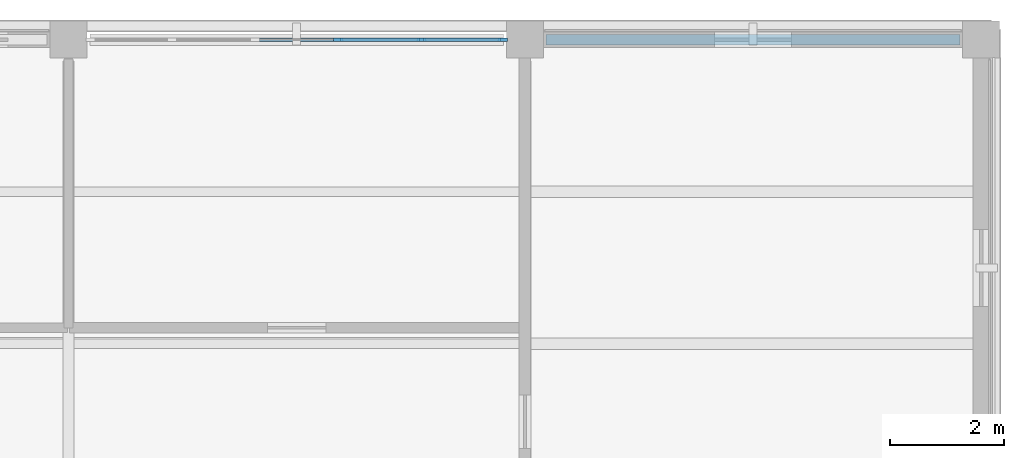
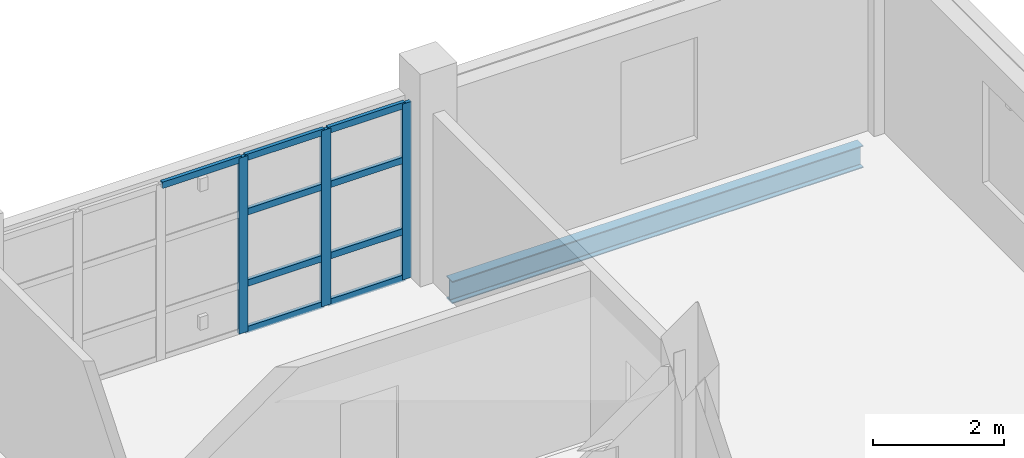
# One storey, part 64 of 126: 12 members, 1 beam, 1 element without a shape of its own.
"""IFC4 building model written with IfcOpenShell, lengths in metres."""

from ifc_helpers import new_model, si_unit, derived_unit, direction, frame, origin, origin_2d, place, context, subcontext, project, spatial, rectangle, i_section, extrude, material, layer, layer_set, material_profile, profile_set, type_object, element, aggregate, save


model = new_model("IFC4")

# Units and contexts
model_context = context("Model", 3, precision=1e-05, world=origin(), true_north=direction((0.0, 1.0)))
body_context = subcontext(model_context, "Body", "Model", "MODEL_VIEW")
ifc_project = project(units=[si_unit("LENGTHUNIT", "METRE"), si_unit("AREAUNIT", "SQUARE_METRE"), si_unit("VOLUMEUNIT", "CUBIC_METRE"), si_unit("PLANEANGLEUNIT", "RADIAN"), si_unit("MASSUNIT", "GRAM", prefix="KILO"), derived_unit("THERMALTRANSMITTANCEUNIT", [(si_unit("MASSUNIT", "GRAM", prefix="KILO"), 1), (si_unit("TIMEUNIT", "SECOND"), -3), (si_unit("THERMODYNAMICTEMPERATUREUNIT", "KELVIN"), -1)])], contexts=[model_context])

# Site, building, storey
site_placement = place(None, origin())
site = spatial("IfcSite", under=ifc_project, at=site_placement, CompositionType="ELEMENT")
building_placement = place(site_placement, origin())
building = spatial("IfcBuilding", under=site, at=building_placement, Name="Veyamyaing Civic Hall", CompositionType="ELEMENT")
storey_placement = place(building_placement, frame((0.0, 0.0, 9.89990234375)))
storey = spatial("IfcBuildingStorey", under=building, at=storey_placement, Name="L02", CompositionType="ELEMENT", Elevation=9.89990234375)

# Beam
ifc_material_1 = material(Name="Steel ASTM A992", Category="steel")
ifc_material_profile_1 = material_profile(ifc_material_1, i_section(OverallWidth=0.180908203125, OverallDepth=0.4169921875, WebThickness=0.010986328125, FlangeThickness=0.018310546875, FilletRadius=0.010009765625, at=origin_2d()), Name="W410X85")
ifc_profile_set_1 = profile_set([ifc_material_profile_1], Name="Steel ASTM A992")
beam_type = type_object("IfcBeamType", Name="B-19", PredefinedType="SPANDREL", material=ifc_profile_set_1)
beam_placement = place(storey_placement, frame((168.375, 112.0, -0.493408203125), z_axis=(1.0, 0.0, 0.0), x_axis=(0.0, 1.0, 0.0)))
element("IfcBeam", 1, at=beam_placement, inside=storey, type_object=beam_type, Name="Girder B-19 L02 Grid Q 22-23", PredefinedType="SPANDREL", context=body_context, shape_type="SweptSolid", body=[
    extrude(i_section(OverallWidth=0.180908203125, OverallDepth=0.4169921875, WebThickness=0.010986328125, FlangeThickness=0.018310546875, FilletRadius=0.010009765625, at=origin_2d()), origin(), (0.0, 0.0, 1.0), 7.25),
])

# Curtain wall, members
ifc_material_2 = material(Name="Anodised aluminium 6063-T6", Category="aluminium")
ifc_layer = layer(ifc_material_2, 0.159912109375, Name="Anodised aluminium 6063-T6")
ifc_layer_set = layer_set([ifc_layer], Name="Anodised aluminium 6063-T6")
curtain_wall_type = type_object("IfcCurtainWallType", Name="CW-03", PredefinedType="NOTDEFINED", material=ifc_layer_set)
curtain_wall_placement = place(storey_placement, origin())
curtain_wall = element("IfcCurtainWall", 2, at=curtain_wall_placement, inside=storey, type_object=curtain_wall_type, Name="Unitized curtain wall CW-03 L02 N 21.14", PredefinedType="NOTDEFINED")
ifc_material_profile_2 = material_profile(ifc_material_2, rectangle(XDim=0.06494140625, YDim=0.159912109375, at=origin_2d()), Name="ALU-MUL-65X160")
ifc_profile_set_2 = profile_set([ifc_material_profile_2], Name="Anodised aluminium 6063-T6")
member_type_1 = type_object("IfcMemberType", Name="CWM-01", PredefinedType="MULLION", material=ifc_profile_set_2)
member_1_placement = place(storey_placement, frame((164.72900390625, 112.0, 0.0), z_axis=(0.0, 0.0, 1.0), x_axis=(0.0, 1.0, 0.0)))
member_1 = element("IfcMember", 3, at=member_1_placement, type_object=member_type_1, Name="CW-03 mullion 4", PredefinedType="MULLION", context=body_context, shape_type="SweptSolid", body=[
    extrude(rectangle(XDim=0.06494140625, YDim=0.159912109375, at=origin_2d()), origin(), (0.0, 0.0, 1.0), 3.280029296875),
])
member_2_placement = place(storey_placement, frame((166.18701171875, 112.0, 0.0), z_axis=(0.0, 0.0, 1.0), x_axis=(0.0, 1.0, 0.0)))
member_2 = element("IfcMember", 4, at=member_2_placement, type_object=member_type_1, Name="CW-03 mullion 5", PredefinedType="MULLION", context=body_context, shape_type="SweptSolid", body=[
    extrude(rectangle(XDim=0.06494140625, YDim=0.159912109375, at=origin_2d()), origin(), (0.0, 0.0, 1.0), 3.280029296875),
])
member_3_placement = place(storey_placement, frame((167.612548828125, 112.0, 0.0), z_axis=(0.0, 0.0, 1.0), x_axis=(0.0, 1.0, 0.0)))
member_3 = element("IfcMember", 5, at=member_3_placement, type_object=member_type_1, Name="CW-03 mullion 6", PredefinedType="MULLION", context=body_context, shape_type="SweptSolid", body=[
    extrude(rectangle(XDim=0.06494140625, YDim=0.159912109375, at=origin_2d()), origin(), (0.0, 0.0, 1.0), 3.280029296875),
])
ifc_material_profile_3 = material_profile(ifc_material_2, rectangle(XDim=0.06494140625, YDim=0.1201171875, at=origin_2d()), Name="ALU-TRN-65X120")
ifc_profile_set_3 = profile_set([ifc_material_profile_3], Name="Anodised aluminium 6063-T6")
member_type_2 = type_object("IfcMemberType", Name="CWT-01", PredefinedType="USERDEFINED", material=ifc_profile_set_3)
member_4_placement = place(storey_placement, frame((163.303466796875, 112.0, 3.24755859375), z_axis=(1.0, 0.0, 0.0), x_axis=(0.0, 1.0, 0.0)))
member_4 = element("IfcMember", 6, at=member_4_placement, type_object=member_type_2, Name="CW-03 transom 3.4", ObjectType="TRANSOM", PredefinedType="USERDEFINED", context=body_context, shape_type="SweptSolid", body=[
    extrude(rectangle(XDim=0.06494140625, YDim=0.1201171875, at=origin_2d()), origin(), (0.0, 0.0, 1.0), 1.39306640625),
])
member_5_placement = place(storey_placement, frame((164.761474609375, 112.0, 0.03271484375), z_axis=(1.0, 0.0, 0.0), x_axis=(0.0, 1.0, 0.0)))
member_5 = element("IfcMember", 7, at=member_5_placement, type_object=member_type_2, Name="CW-03 transom 4.1", ObjectType="TRANSOM", PredefinedType="USERDEFINED", context=body_context, shape_type="SweptSolid", body=[
    extrude(rectangle(XDim=0.06494140625, YDim=0.1201171875, at=origin_2d()), origin(), (0.0, 0.0, 1.0), 1.39306640625),
])
member_6_placement = place(storey_placement, frame((164.761474609375, 112.0, 0.900146484375), z_axis=(1.0, 0.0, 0.0), x_axis=(0.0, 1.0, 0.0)))
member_6 = element("IfcMember", 8, at=member_6_placement, type_object=member_type_2, Name="CW-03 transom 4.2", ObjectType="TRANSOM", PredefinedType="USERDEFINED", context=body_context, shape_type="SweptSolid", body=[
    extrude(rectangle(XDim=0.06494140625, YDim=0.1201171875, at=origin_2d()), origin(), (0.0, 0.0, 1.0), 1.39306640625),
])
member_7_placement = place(storey_placement, frame((164.761474609375, 112.0, 2.23046875), z_axis=(1.0, 0.0, 0.0), x_axis=(0.0, 1.0, 0.0)))
member_7 = element("IfcMember", 9, at=member_7_placement, type_object=member_type_2, Name="CW-03 transom 4.3", ObjectType="TRANSOM", PredefinedType="USERDEFINED", context=body_context, shape_type="SweptSolid", body=[
    extrude(rectangle(XDim=0.06494140625, YDim=0.1201171875, at=origin_2d()), origin(), (0.0, 0.0, 1.0), 1.39306640625),
])
member_8_placement = place(storey_placement, frame((164.761474609375, 112.0, 3.24755859375), z_axis=(1.0, 0.0, 0.0), x_axis=(0.0, 1.0, 0.0)))
member_8 = element("IfcMember", 10, at=member_8_placement, type_object=member_type_2, Name="CW-03 transom 4.4", ObjectType="TRANSOM", PredefinedType="USERDEFINED", context=body_context, shape_type="SweptSolid", body=[
    extrude(rectangle(XDim=0.06494140625, YDim=0.1201171875, at=origin_2d()), origin(), (0.0, 0.0, 1.0), 1.39306640625),
])
member_9_placement = place(storey_placement, frame((166.219482421875, 112.0, 0.03271484375), z_axis=(1.0, 0.0, 0.0), x_axis=(0.0, 1.0, 0.0)))
member_9 = element("IfcMember", 11, at=member_9_placement, type_object=member_type_2, Name="CW-03 transom 5.1", ObjectType="TRANSOM", PredefinedType="USERDEFINED", context=body_context, shape_type="SweptSolid", body=[
    extrude(rectangle(XDim=0.06494140625, YDim=0.1201171875, at=origin_2d()), origin(), (0.0, 0.0, 1.0), 1.360595703125),
])
member_10_placement = place(storey_placement, frame((166.219482421875, 112.0, 0.900146484375), z_axis=(1.0, 0.0, 0.0), x_axis=(0.0, 1.0, 0.0)))
member_10 = element("IfcMember", 12, at=member_10_placement, type_object=member_type_2, Name="CW-03 transom 5.2", ObjectType="TRANSOM", PredefinedType="USERDEFINED", context=body_context, shape_type="SweptSolid", body=[
    extrude(rectangle(XDim=0.06494140625, YDim=0.1201171875, at=origin_2d()), origin(), (0.0, 0.0, 1.0), 1.360595703125),
])
member_11_placement = place(storey_placement, frame((166.219482421875, 112.0, 2.23046875), z_axis=(1.0, 0.0, 0.0), x_axis=(0.0, 1.0, 0.0)))
member_11 = element("IfcMember", 13, at=member_11_placement, type_object=member_type_2, Name="CW-03 transom 5.3", ObjectType="TRANSOM", PredefinedType="USERDEFINED", context=body_context, shape_type="SweptSolid", body=[
    extrude(rectangle(XDim=0.06494140625, YDim=0.1201171875, at=origin_2d()), origin(), (0.0, 0.0, 1.0), 1.360595703125),
])
member_12_placement = place(storey_placement, frame((166.219482421875, 112.0, 3.24755859375), z_axis=(1.0, 0.0, 0.0), x_axis=(0.0, 1.0, 0.0)))
member_12 = element("IfcMember", 14, at=member_12_placement, type_object=member_type_2, Name="CW-03 transom 5.4", ObjectType="TRANSOM", PredefinedType="USERDEFINED", context=body_context, shape_type="SweptSolid", body=[
    extrude(rectangle(XDim=0.06494140625, YDim=0.1201171875, at=origin_2d()), origin(), (0.0, 0.0, 1.0), 1.360595703125),
])
aggregate(curtain_wall, [member_1, member_2, member_3, member_4, member_5, member_6, member_7, member_8, member_9, member_10, member_11, member_12])

save(model, "model.ifc")
